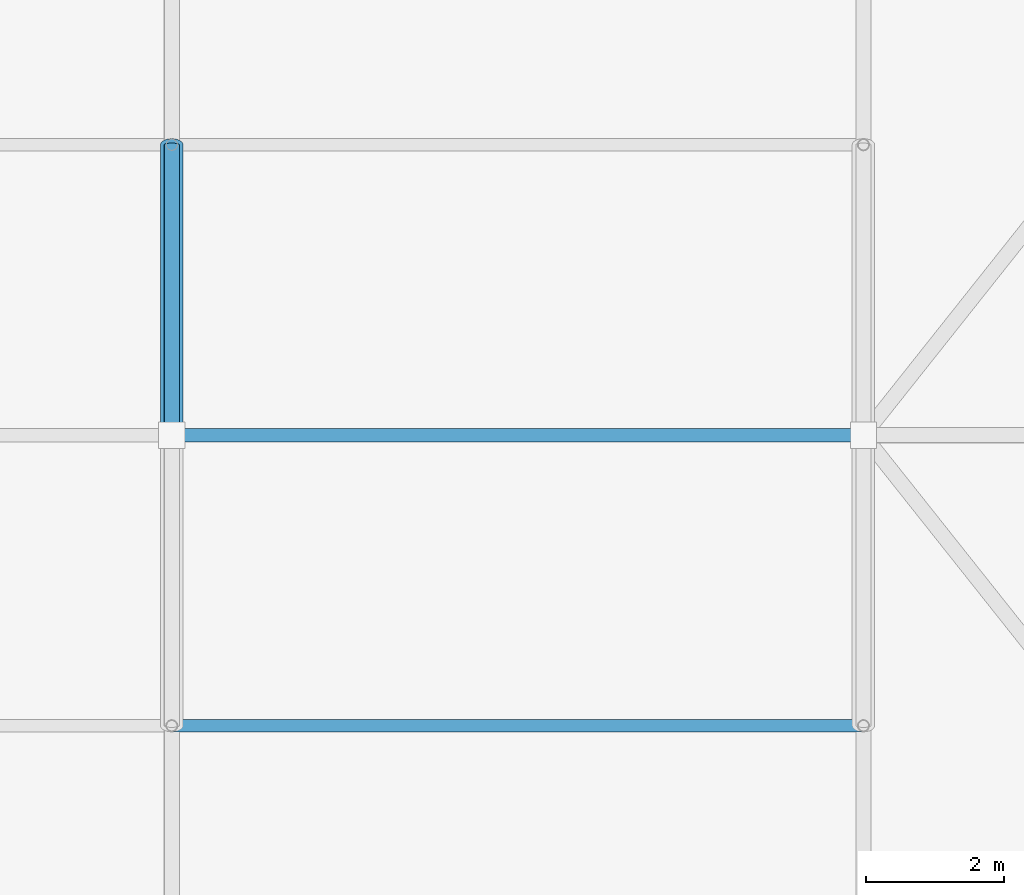
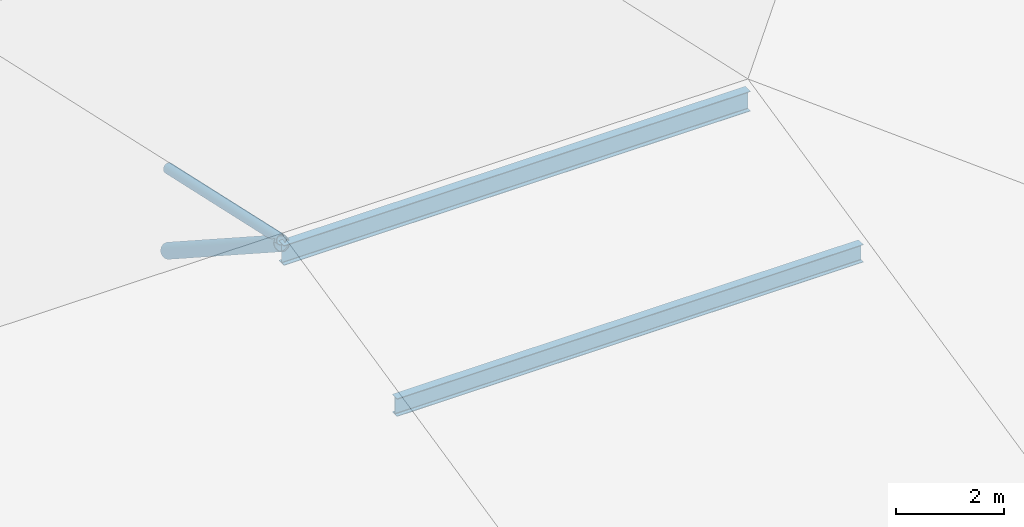
# One storey, part 56 of 93: 2 beams, 2 members.
"""IFC4 building model written with IfcOpenShell, lengths in metres."""

from ifc_helpers import new_model, si_unit, derived_unit, direction, frame, origin, origin_2d_with_axis, place, context, subcontext, project, spatial, hollow_circle, i_section, extrude, material, material_profile, profile_set, type_object, element, save


model = new_model("IFC4")

# Units and contexts
model_context = context("Model", 3, precision=1e-05, world=origin(), true_north=direction((0.0, 1.0)))
body_context = subcontext(model_context, "Body", "Model", "MODEL_VIEW")
ifc_project = project(units=[si_unit("LENGTHUNIT", "METRE"), si_unit("AREAUNIT", "SQUARE_METRE"), si_unit("VOLUMEUNIT", "CUBIC_METRE"), si_unit("PLANEANGLEUNIT", "RADIAN"), si_unit("MASSUNIT", "GRAM", prefix="KILO"), derived_unit("THERMALTRANSMITTANCEUNIT", [(si_unit("POWERUNIT", "WATT"), 1), (si_unit("LENGTHUNIT", "METRE"), -2), (si_unit("THERMODYNAMICTEMPERATUREUNIT", "KELVIN"), -1)])], contexts=[model_context])

# Site, building, storey
site_placement = place(None, origin())
site = spatial("IfcSite", under=ifc_project, at=site_placement, CompositionType="ELEMENT")
building_placement = place(site_placement, origin())
building = spatial("IfcBuilding", under=site, at=building_placement, Name="Cinnabar Yard Market Hall", CompositionType="ELEMENT")
storey_placement = place(building_placement, frame((0.0, 0.0, 23.800048828125)))
storey = spatial("IfcBuildingStorey", under=building, at=storey_placement, Name="ROOF", CompositionType="ELEMENT", Elevation=23.800048828125)

# Beams
ifc_material_1 = material(Name="Steel Grade 300 (300 MPa)", Category="steel")
ifc_material_profile_1 = material_profile(ifc_material_1, i_section(OverallWidth=0.18994140625, OverallDepth=0.453857421875, WebThickness=0.008544921875, FlangeThickness=0.0126953125, FilletRadius=0.011474609375, at=origin_2d_with_axis()), Name="460UB67.1")
ifc_profile_set_1 = profile_set([ifc_material_profile_1], Name="Steel Grade 300 (300 MPa)")
beam_type_1 = type_object("IfcBeamType", Name="BM-B05", PredefinedType="BEAM", material=ifc_profile_set_1)
beam_1_placement = place(storey_placement, frame((116.0, 125.39990234375, -2.70703125), z_axis=(1.0, 0.0, 0.0), x_axis=(0.0, 1.0, 0.0)))
element("IfcBeam", 1, at=beam_1_placement, inside=storey, type_object=beam_type_1, Name="Belvedere Ridge Girder E 01599", PredefinedType="BEAM", context=body_context, shape_type="SweptSolid", body=[
    extrude(i_section(OverallWidth=0.18994140625, OverallDepth=0.453857421875, WebThickness=0.008544921875, FlangeThickness=0.0126953125, FilletRadius=0.011474609375, at=origin_2d_with_axis()), origin(), (0.0, 0.0, 1.0), 10.0),
])
ifc_material_profile_2 = material_profile(ifc_material_1, i_section(OverallWidth=0.177978515625, OverallDepth=0.406494140625, WebThickness=0.0078125, FlangeThickness=0.0126953125, FilletRadius=0.011474609375, at=origin_2d_with_axis()), Name="410UB59.7")
ifc_profile_set_2 = profile_set([ifc_material_profile_2], Name="Steel Grade 300 (300 MPa)")
beam_type_2 = type_object("IfcBeamType", Name="BM-B06", PredefinedType="BEAM", material=ifc_profile_set_2)
beam_2_placement = place(storey_placement, frame((116.0, 121.199951171875, -3.61328125), z_axis=(1.0, 0.0, 0.0), x_axis=(0.0, 1.0, 0.0)))
element("IfcBeam", 2, at=beam_2_placement, inside=storey, type_object=beam_type_2, Name="Belvedere Purlin Girder 121 01602", PredefinedType="BEAM", context=body_context, shape_type="SweptSolid", body=[
    extrude(i_section(OverallWidth=0.177978515625, OverallDepth=0.406494140625, WebThickness=0.0078125, FlangeThickness=0.0126953125, FilletRadius=0.011474609375, at=origin_2d_with_axis()), origin(), (0.0, 0.0, 1.0), 10.0),
])

# Members
ifc_material_2 = material(Name="Cold-formed steel C350L0", Category="steel")
ifc_material_profile_3 = material_profile(ifc_material_2, hollow_circle(Radius=0.109619140625, WallThickness=0.00830078125, at=origin_2d_with_axis()), Name="219.1x8.2CHS")
ifc_profile_set_3 = profile_set([ifc_material_profile_3], Name="Cold-formed steel C350L0")
member_type_1 = type_object("IfcMemberType", Name="MB-BC02", PredefinedType="CHORD", material=ifc_profile_set_3)
member_1_placement = place(storey_placement, frame((116.0, 125.39990234375, -2.400146484375), z_axis=(0.0, 0.976356349337, -0.216167248002), x_axis=(-1.0, 0.0, 0.0)))
element("IfcMember", 3, at=member_1_placement, inside=storey, type_object=member_type_1, Name="Belvedere Rafter 116-125", PredefinedType="CHORD", context=body_context, shape_type="SweptSolid", body=[
    extrude(hollow_circle(Radius=0.109619140625, WallThickness=0.00830078125, at=origin_2d_with_axis()), origin(), (0.0, 0.0, 1.0), 4.302001953125),
])
ifc_material_3 = material(Name="Spotted-gum glulam-clad steel Grade 350 (350 MPa)", Category="steel")
ifc_material_profile_4 = material_profile(ifc_material_3, hollow_circle(Radius=0.161865234375, WallThickness=0.009521484375, at=origin_2d_with_axis()), Name="323.9x9.5CHS")
ifc_profile_set_4 = profile_set([ifc_material_profile_4], Name="Spotted-gum glulam-clad steel Grade 350 (350 MPa)")
member_type_2 = type_object("IfcMemberType", Name="MB-ST01", PredefinedType="STRUT", material=ifc_profile_set_4)
member_2_placement = place(storey_placement, frame((116.0, 129.60009765625, -5.199951171875), z_axis=(0.0, -0.839369826281, 0.543560755324), x_axis=(1.0, 0.0, 0.0)))
element("IfcMember", 4, at=member_2_placement, inside=storey, type_object=member_type_2, Name="Belvedere Ridge Strut N 116", PredefinedType="STRUT", context=body_context, shape_type="SweptSolid", body=[
    extrude(hollow_circle(Radius=0.161865234375, WallThickness=0.009521484375, at=origin_2d_with_axis()), origin(), (0.0, 0.0, 1.0), 5.00390625),
])

save(model, "model.ifc")
